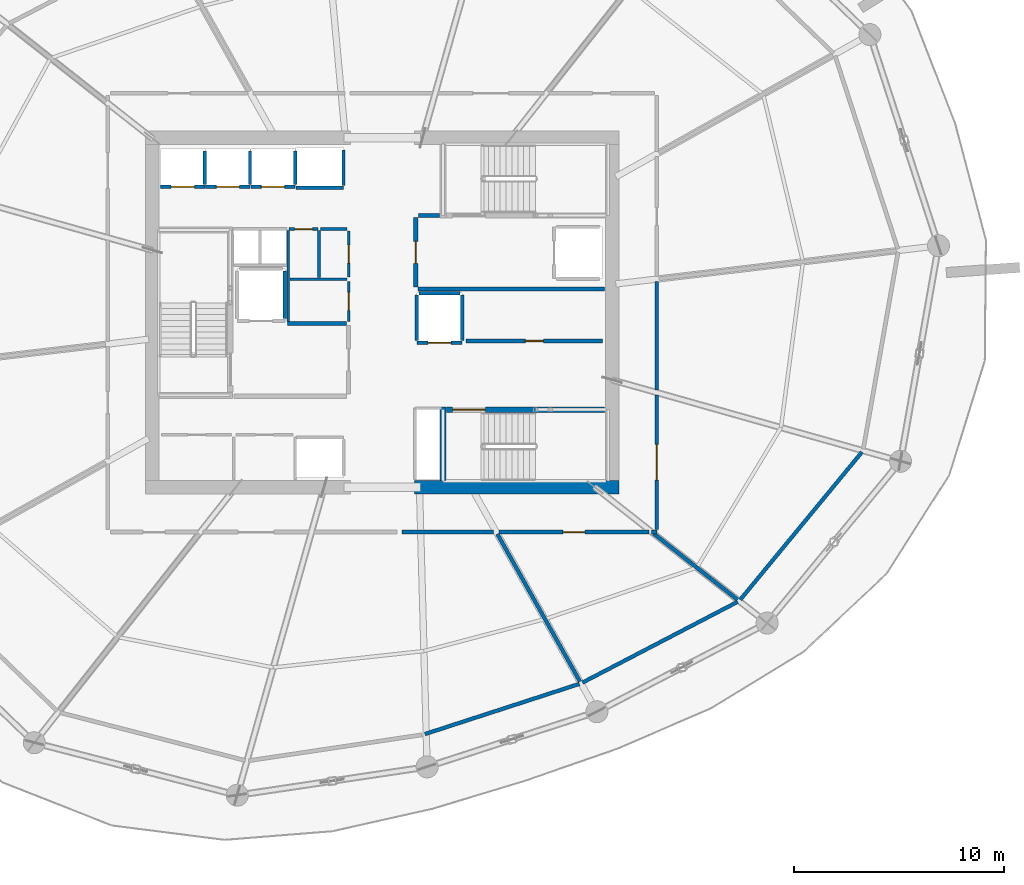
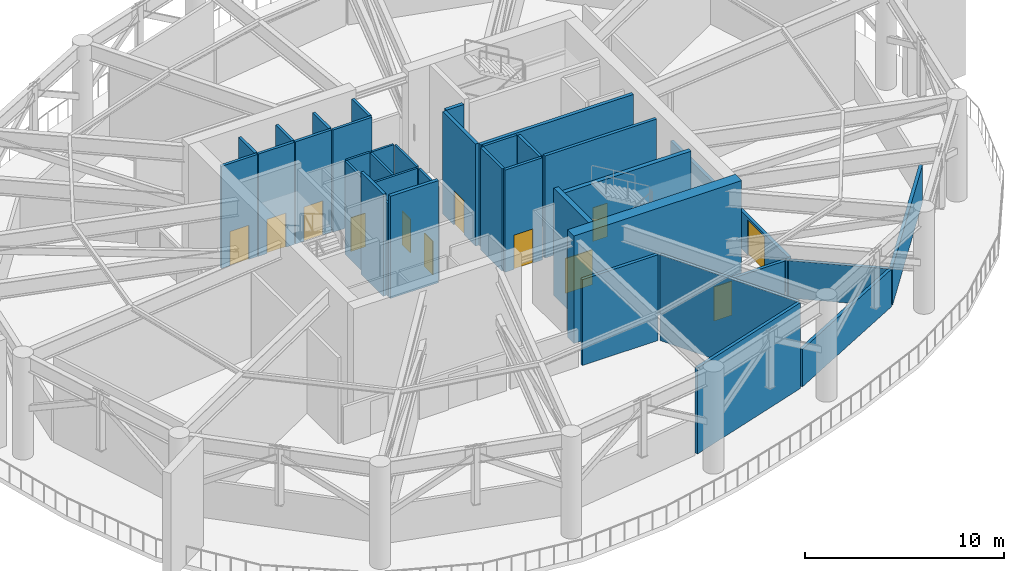
# One storey, part 13 of 20: 38 walls, 12 doors, 12 openings.
"""IFC4 building model written with IfcOpenShell, lengths in metres."""

from ifc_helpers import new_model, si_unit, direction, frame, frame_2d, origin, place, context, subcontext, project, spatial, rectangle, extrude, material, layer, layer_set, type_object, element, fill, save


model = new_model("IFC4")

# Units and contexts
model_context = context("Model", 3, precision=1e-05, world=origin(), true_north=direction((0.0, 1.0)))
body_context = subcontext(model_context, "Body", "Model", "MODEL_VIEW")
ifc_project = project(units=[si_unit("LENGTHUNIT", "METRE"), si_unit("AREAUNIT", "SQUARE_METRE"), si_unit("VOLUMEUNIT", "CUBIC_METRE"), si_unit("PLANEANGLEUNIT", "RADIAN"), si_unit("MASSUNIT", "GRAM", prefix="KILO")], contexts=[model_context])

# Site, building, storey
site_placement = place(None, origin())
site = spatial("IfcSite", under=ifc_project, at=site_placement, CompositionType="ELEMENT")
building_placement = place(site_placement, origin())
building = spatial("IfcBuilding", under=site, at=building_placement, Name="Kazma Halo Residences", CompositionType="ELEMENT")
storey_placement = place(building_placement, frame((0.0, 0.0, 225.300048828125)))
storey = spatial("IfcBuildingStorey", under=building, at=storey_placement, Name="L57", CompositionType="ELEMENT", Elevation=225.300048828125)

# Walls
ifc_material_1 = material(Name="Concrete C60/75", Category="concrete")
ifc_layer_1 = layer(ifc_material_1, 0.64990234375)
ifc_layer_set_1 = layer_set([ifc_layer_1], Name="Concrete C60/75")
wall_type_1 = type_object("IfcWallType", Name="WL-CORE-650", PredefinedType="SHEAR", material=ifc_layer_set_1)
wall_1_placement = place(storey_placement, frame((49.949951171875, 33.675048828125, 0.0), z_axis=(0.0, 0.0, 1.0), x_axis=(1.0, 0.0, 0.0)))
element("IfcWall", 1, at=wall_1_placement, inside=storey, type_object=wall_type_1, Name="L57 central core shear wall SE", PredefinedType="SHEAR", context=body_context, shape_type="SweptSolid", body=[
    extrude(rectangle(XDim=9.75, YDim=0.64990234375, at=frame_2d((4.875, 0.0))), origin(), (0.0, 0.0, 1.0), 6.599853515625),
])
ifc_layer_2 = layer(ifc_material_1, 0.280029296875)
ifc_layer_set_2 = layer_set([ifc_layer_2], Name="Concrete C60/75")
wall_type_2 = type_object("IfcWallType", Name="WL-CORE-ST-280", PredefinedType="SHEAR", material=ifc_layer_set_2)
wall_2_placement = place(storey_placement, frame((51.31005859375, 34.0, 0.0), z_axis=(0.0, 0.0, 1.0), x_axis=(0.0, 1.0, 0.0)))
element("IfcWall", 2, at=wall_2_placement, inside=storey, type_object=wall_type_2, Name="L57 stairwell bearing wall ST03-W", PredefinedType="SHEAR", context=body_context, shape_type="SweptSolid", body=[
    extrude(rectangle(XDim=3.5, YDim=0.280029296875, at=frame_2d((1.75, 0.0))), origin(), (0.0, 0.0, 1.0), 6.599853515625),
])
ifc_material_2 = material(Name="Acoustic Twin-Stud Gypsum")
ifc_layer_3 = layer(ifc_material_2, 0.179931640625)
ifc_layer_set_3 = layer_set([ifc_layer_3], Name="Acoustic Twin-Stud Gypsum")
wall_type_3 = type_object("IfcWallType", Name="WL-DEM-180", PredefinedType="PARTITIONING", material=ifc_layer_set_3)
wall_3_placement = place(storey_placement, frame((50.454833984375, 21.926513671875, 0.0), z_axis=(0.0, 0.0, 1.0), x_axis=(0.951063515405, 0.308995452498, 0.0)))
element("IfcWall", 3, at=wall_3_placement, inside=storey, type_object=wall_type_3, Name="L57 refuge acoustic perimeter wall 11", PredefinedType="PARTITIONING", context=body_context, shape_type="SweptSolid", body=[
    extrude(rectangle(XDim=7.73681640625, YDim=0.179931640625, at=frame_2d((3.868408203125, 0.0))), origin(), (0.0, 0.0, 1.0), 5.27294921875),
])
wall_4_placement = place(storey_placement, frame((57.9599609375, 24.37890625, 0.0), z_axis=(0.0, 0.0, 1.0), x_axis=(0.886953337161, 0.461859045271, 0.0)))
element("IfcWall", 4, at=wall_4_placement, inside=storey, type_object=wall_type_3, Name="L57 refuge acoustic perimeter wall 12", PredefinedType="PARTITIONING", context=body_context, shape_type="SweptSolid", body=[
    extrude(rectangle(XDim=8.333984375, YDim=0.179931640625, at=frame_2d((4.1669921875, 0.0))), origin(), (0.0, 0.0, 1.0), 2.303955078125),
])
wall_5_placement = place(storey_placement, frame((65.4736328125, 28.32666015625, 0.0), z_axis=(0.0, 0.0, 1.0), x_axis=(0.636001991142, 0.771687415514, 0.0)))
element("IfcWall", 5, at=wall_5_placement, inside=storey, type_object=wall_type_3, Name="L57 refuge acoustic perimeter wall 13", PredefinedType="PARTITIONING", context=body_context, shape_type="SweptSolid", body=[
    extrude(rectangle(XDim=9.115234375, YDim=0.179931640625, at=frame_2d((4.5576171875, 0.0))), origin(), (0.0, 0.0, 1.0), 2.303955078125),
])
wall_6_placement = place(storey_placement, frame((49.356689453125, 31.550048828125, 0.0), z_axis=(0.0, 0.0, 1.0), x_axis=(1.0, 0.0, 0.0)))
element("IfcWall", 6, at=wall_6_placement, inside=storey, type_object=wall_type_3, Name="L57 L57 West Refuge Area corridor wall", PredefinedType="PARTITIONING", context=body_context, shape_type="SweptSolid", body=[
    extrude(rectangle(XDim=4.375732421875, YDim=0.179931640625, at=frame_2d((2.18798828125, 0.0))), origin(), (0.0, 0.0, 1.0), 5.27294921875),
])
wall_7_placement = place(storey_placement, frame((53.906005859375, 31.4541015625, 0.0), z_axis=(0.0, 0.0, 1.0), x_axis=(0.488616295632, -0.872498776872, 0.0)))
element("IfcWall", 7, at=wall_7_placement, inside=storey, type_object=wall_type_3, Name="L57 radial partition wall 12", PredefinedType="PARTITIONING", context=body_context, shape_type="SweptSolid", body=[
    extrude(rectangle(XDim=8.051513671875, YDim=0.179931640625, at=frame_2d((4.02587890625, 0.0))), origin(), (0.0, 0.0, 1.0), 5.27294921875),
])

# Wall, opening, door
wall_8_placement = place(storey_placement, frame((53.972412109375, 31.550048828125, 0.0), z_axis=(0.0, 0.0, 1.0), x_axis=(1.0, 0.0, 0.0)))
wall_8 = element("IfcWall", 8, at=wall_8_placement, inside=storey, type_object=wall_type_3, Name="L57 L57 Smoke Extract Fan Plant Room corridor wall", PredefinedType="PARTITIONING", context=body_context, shape_type="SweptSolid", body=[
    extrude(rectangle(XDim=7.163330078125, YDim=0.179931640625, at=frame_2d((3.58154296875, 0.0))), origin(), (0.0, 0.0, 1.0), 2.303955078125),
])
opening_1_placement = place(wall_8_placement, frame((3.056884765625, 0.0, 0.0)))
opening_1 = element("IfcOpeningElement", 9, at=opening_1_placement, cuts=wall_8, Name="Opening DF-1050", PredefinedType="OPENING", context=body_context, shape_type="SweptSolid", body=[
    extrude(rectangle(XDim=1.050048828125, YDim=2.10009765625, at=frame_2d((0.52490234375, 1.050048828125))), frame((0.0, 0.099853515625, 0.0), z_axis=(0.0, -1.0, 0.0), x_axis=(1.0, 0.0, 0.0)), (0.0, 0.0, 1.0), 0.199951171875),
])
ifc_material_3 = material(Name="Fire-Rated Steel Leaf", Category="steel")
door_type_1 = type_object("IfcDoorType", Name="DR-FD90-1050", OperationType="NOTDEFINED", PredefinedType="DOOR", material=ifc_material_3)
door_1_placement = place(opening_1_placement, origin())
door_1 = element("IfcDoor", 10, at=door_1_placement, inside=storey, type_object=door_type_1, Name="L57 L57 Smoke Extract Fan Plant Room door", OperationType="SINGLE_SWING_LEFT", OverallHeight=2.10009765625, OverallWidth=1.050048828125, PredefinedType="DOOR", context=body_context, shape_type="SweptSolid", body=[
    extrude(rectangle(XDim=1.050048828125, YDim=2.10009765625, at=frame_2d((0.52490234375, 1.050048828125))), frame((0.0, 0.02490234375, 0.0), z_axis=(0.0, -1.0, 0.0), x_axis=(1.0, 0.0, 0.0)), (0.0, 0.0, 1.0), 0.050048828125),
])
fill(opening_1, door_1)

# Walls
wall_9_placement = place(storey_placement, frame((61.34228515625, 31.48193359375, 0.0), z_axis=(0.0, 0.0, 1.0), x_axis=(0.785303207868, -0.619111356471, 0.0)))
element("IfcWall", 11, at=wall_9_placement, inside=storey, type_object=wall_type_3, Name="L57 radial partition wall 13", PredefinedType="PARTITIONING", context=body_context, shape_type="SweptSolid", body=[
    extrude(rectangle(XDim=5.095947265625, YDim=0.179931640625, at=frame_2d((2.5478515625, 0.0))), origin(), (0.0, 0.0, 1.0), 2.303955078125),
])
wall_10_placement = place(storey_placement, frame((61.255859375, 31.550048828125, 0.0), z_axis=(0.0, 0.0, 1.0), x_axis=(1.0, 0.0, 0.0)))
element("IfcWall", 12, at=wall_10_placement, inside=storey, type_object=wall_type_3, Name="L57 L57 South Refuge Area corridor wall", PredefinedType="PARTITIONING", context=body_context, shape_type="SweptSolid", body=[
    extrude(rectangle(XDim=0.244140625, YDim=0.179931640625, at=frame_2d((0.1220703125, 0.0))), origin(), (0.0, 0.0, 1.0), 2.303955078125),
])

# Wall, opening, door
wall_11_placement = place(storey_placement, frame((61.5, 31.669921875, 0.0), z_axis=(0.0, 0.0, 1.0), x_axis=(0.0, 1.0, 0.0)))
wall_11 = element("IfcWall", 13, at=wall_11_placement, inside=storey, type_object=wall_type_3, Name="L57 L57 South Refuge Area corridor wall", PredefinedType="PARTITIONING", context=body_context, shape_type="SweptSolid", body=[
    extrude(rectangle(XDim=6.402587890625, YDim=0.179931640625, at=frame_2d((3.201171875, 0.0))), origin(), (0.0, 0.0, 1.0), 2.303955078125),
])
opening_2_placement = place(wall_11_placement, frame((2.351318359375, 0.0, 0.0)))
opening_2 = element("IfcOpeningElement", 14, at=opening_2_placement, cuts=wall_11, Name="Opening DL-1800", PredefinedType="OPENING", context=body_context, shape_type="SweptSolid", body=[
    extrude(rectangle(XDim=1.699951171875, YDim=2.14990234375, at=frame_2d((0.85009765625, 1.074951171875))), frame((0.0, 0.099853515625, 0.0), z_axis=(0.0, -1.0, 0.0), x_axis=(1.0, 0.0, 0.0)), (0.0, 0.0, 1.0), 0.199951171875),
])
ifc_material_4 = material(Name="Glazed Aluminium Double Leaf", Category="aluminium")
door_type_2 = type_object("IfcDoorType", Name="DR-LGE-1800", OperationType="NOTDEFINED", PredefinedType="DOOR", material=ifc_material_4)
door_2_placement = place(opening_2_placement, origin())
door_2 = element("IfcDoor", 15, at=door_2_placement, inside=storey, type_object=door_type_2, Name="L57 L57 South Refuge Area door", OperationType="DOUBLE_DOOR_SINGLE_SWING", OverallHeight=2.14990234375, OverallWidth=1.699951171875, PredefinedType="DOOR", context=body_context, shape_type="SweptSolid", body=[
    extrude(rectangle(XDim=1.699951171875, YDim=2.14990234375, at=frame_2d((0.85009765625, 1.074951171875))), frame((0.0, 0.02490234375, 0.0), z_axis=(0.0, -1.0, 0.0), x_axis=(1.0, 0.0, 0.0)), (0.0, 0.0, 1.0), 0.050048828125),
])
fill(opening_2, door_2)

# Wall
wall_12_placement = place(storey_placement, frame((61.5, 38.3125, 0.0), z_axis=(0.0, 0.0, 1.0), x_axis=(0.0, 1.0, 0.0)))
element("IfcWall", 16, at=wall_12_placement, inside=storey, type_object=wall_type_3, Name="L57 L57 South Refuge Area corridor wall", PredefinedType="PARTITIONING", context=body_context, shape_type="SweptSolid", body=[
    extrude(rectangle(XDim=5.165283203125, YDim=0.179931640625, at=frame_2d((2.58251953125, 0.0))), origin(), (0.0, 0.0, 1.0), 2.303955078125),
])

# Wall, opening, door
ifc_material_5 = material(Name="Fire-Rated Blockwork Masonry", Category="masonry")
ifc_layer_4 = layer(ifc_material_5, 0.199951171875)
ifc_layer_set_4 = layer_set([ifc_layer_4], Name="Fire-Rated Blockwork Masonry")
wall_type_4 = type_object("IfcWallType", Name="WL-FLB-200", PredefinedType="PARTITIONING", material=ifc_layer_set_4)
wall_13_placement = place(storey_placement, frame((39.97509765625, 47.9951171875, 0.0), z_axis=(0.0, 0.0, 1.0), x_axis=(-1.0, 0.0, 0.0)))
wall_13 = element("IfcWall", 17, at=wall_13_placement, inside=storey, type_object=wall_type_4, Name="L57 lift shaft PM-01 front wall", PredefinedType="PARTITIONING", context=body_context, shape_type="SweptSolid", body=[
    extrude(rectangle(XDim=2.110107421875, YDim=0.159912109375, at=frame_2d((1.05517578125, 0.0))), origin(), (0.0, 0.0, 1.0), 6.280029296875),
])
opening_3_placement = place(wall_13_placement, frame((0.5048828125, 0.0, 0.0)))
opening_3 = element("IfcOpeningElement", 18, at=opening_3_placement, cuts=wall_13, Name="Opening LD-PM-01", PredefinedType="OPENING", context=body_context, shape_type="SweptSolid", body=[
    extrude(rectangle(XDim=1.10009765625, YDim=2.10009765625, at=frame_2d((0.550048828125, 1.050048828125))), frame((0.0, 0.08984375, 0.0), z_axis=(0.0, -1.0, 0.0), x_axis=(1.0, 0.0, 0.0)), (0.0, 0.0, 1.0), 0.179931640625),
])
ifc_material_6 = material(Name="Stainless Steel Fire-Rated", Category="steel")
door_type_3 = type_object("IfcDoorType", Name="DR-LIFT-SLD-1100", OperationType="DOUBLE_DOOR_SLIDING", PredefinedType="DOOR", material=ifc_material_6)
door_3_placement = place(opening_3_placement, origin())
door_3 = element("IfcDoor", 19, at=door_3_placement, inside=storey, type_object=door_type_3, Name="L57 lift PM-01 sliding landing door", OperationType="DOUBLE_DOOR_SLIDING", OverallHeight=2.10009765625, OverallWidth=1.10009765625, PredefinedType="DOOR", context=body_context, shape_type="SweptSolid", body=[
    extrude(rectangle(XDim=1.10009765625, YDim=2.10009765625, at=frame_2d((0.550048828125, 1.050048828125))), frame((0.0, 0.02490234375, 0.0), z_axis=(0.0, -1.0, 0.0), x_axis=(1.0, 0.0, 0.0)), (0.0, 0.0, 1.0), 0.050048828125),
])
fill(opening_3, door_3)

# Wall
wall_14_placement = place(storey_placement, frame((39.97509765625, 48.094970703125, 0.0), z_axis=(0.0, 0.0, 1.0), x_axis=(0.0, 1.0, 0.0)))
element("IfcWall", 20, at=wall_14_placement, inside=storey, type_object=wall_type_4, Name="L57 lift shaft PM-01 side wall E", PredefinedType="PARTITIONING", context=body_context, shape_type="SweptSolid", body=[
    extrude(rectangle(XDim=1.610107421875, YDim=0.159912109375, at=frame_2d((0.80517578125, 0.0))), origin(), (0.0, 0.0, 1.0), 6.280029296875),
])

# Wall, opening, door
wall_15_placement = place(storey_placement, frame((42.125, 47.9951171875, 0.0), z_axis=(0.0, 0.0, 1.0), x_axis=(-1.0, 0.0, 0.0)))
wall_15 = element("IfcWall", 21, at=wall_15_placement, inside=storey, type_object=wall_type_4, Name="L57 lift shaft PM-02 front wall", PredefinedType="PARTITIONING", context=body_context, shape_type="SweptSolid", body=[
    extrude(rectangle(XDim=2.110107421875, YDim=0.159912109375, at=frame_2d((1.05517578125, 0.0))), origin(), (0.0, 0.0, 1.0), 6.280029296875),
])
opening_4_placement = place(wall_15_placement, frame((0.5048828125, 0.0, 0.0)))
opening_4 = element("IfcOpeningElement", 22, at=opening_4_placement, cuts=wall_15, Name="Opening LD-PM-02", PredefinedType="OPENING", context=body_context, shape_type="SweptSolid", body=[
    extrude(rectangle(XDim=1.10009765625, YDim=2.10009765625, at=frame_2d((0.550048828125, 1.050048828125))), frame((0.0, 0.08984375, 0.0), z_axis=(0.0, -1.0, 0.0), x_axis=(1.0, 0.0, 0.0)), (0.0, 0.0, 1.0), 0.179931640625),
])
door_4_placement = place(opening_4_placement, origin())
door_4 = element("IfcDoor", 23, at=door_4_placement, inside=storey, type_object=door_type_3, Name="L57 lift PM-02 sliding landing door", OperationType="DOUBLE_DOOR_SLIDING", OverallHeight=2.10009765625, OverallWidth=1.10009765625, PredefinedType="DOOR", context=body_context, shape_type="SweptSolid", body=[
    extrude(rectangle(XDim=1.10009765625, YDim=2.10009765625, at=frame_2d((0.550048828125, 1.050048828125))), frame((0.0, 0.02490234375, 0.0), z_axis=(0.0, -1.0, 0.0), x_axis=(1.0, 0.0, 0.0)), (0.0, 0.0, 1.0), 0.050048828125),
])
fill(opening_4, door_4)

# Wall
wall_16_placement = place(storey_placement, frame((42.125, 48.094970703125, 0.0), z_axis=(0.0, 0.0, 1.0), x_axis=(0.0, 1.0, 0.0)))
element("IfcWall", 24, at=wall_16_placement, inside=storey, type_object=wall_type_4, Name="L57 lift shaft PM-02 side wall E", PredefinedType="PARTITIONING", context=body_context, shape_type="SweptSolid", body=[
    extrude(rectangle(XDim=1.610107421875, YDim=0.159912109375, at=frame_2d((0.80517578125, 0.0))), origin(), (0.0, 0.0, 1.0), 6.280029296875),
])

# Wall, opening, door
wall_17_placement = place(storey_placement, frame((44.27490234375, 47.9951171875, 0.0), z_axis=(0.0, 0.0, 1.0), x_axis=(-1.0, 0.0, 0.0)))
wall_17 = element("IfcWall", 25, at=wall_17_placement, inside=storey, type_object=wall_type_4, Name="L57 lift shaft PM-03 front wall", PredefinedType="PARTITIONING", context=body_context, shape_type="SweptSolid", body=[
    extrude(rectangle(XDim=2.10986328125, YDim=0.159912109375, at=frame_2d((1.054931640625, 0.0))), origin(), (0.0, 0.0, 1.0), 6.280029296875),
])
opening_5_placement = place(wall_17_placement, frame((0.5048828125, 0.0, 0.0)))
opening_5 = element("IfcOpeningElement", 26, at=opening_5_placement, cuts=wall_17, Name="Opening LD-PM-03", PredefinedType="OPENING", context=body_context, shape_type="SweptSolid", body=[
    extrude(rectangle(XDim=1.10009765625, YDim=2.10009765625, at=frame_2d((0.550048828125, 1.050048828125))), frame((0.0, 0.08984375, 0.0), z_axis=(0.0, -1.0, 0.0), x_axis=(1.0, 0.0, 0.0)), (0.0, 0.0, 1.0), 0.179931640625),
])
door_5_placement = place(opening_5_placement, origin())
door_5 = element("IfcDoor", 27, at=door_5_placement, inside=storey, type_object=door_type_3, Name="L57 lift PM-03 sliding landing door", OperationType="DOUBLE_DOOR_SLIDING", OverallHeight=2.10009765625, OverallWidth=1.10009765625, PredefinedType="DOOR", context=body_context, shape_type="SweptSolid", body=[
    extrude(rectangle(XDim=1.10009765625, YDim=2.10009765625, at=frame_2d((0.550048828125, 1.050048828125))), frame((0.0, 0.02490234375, 0.0), z_axis=(0.0, -1.0, 0.0), x_axis=(1.0, 0.0, 0.0)), (0.0, 0.0, 1.0), 0.050048828125),
])
fill(opening_5, door_5)

# Walls
wall_18_placement = place(storey_placement, frame((44.27490234375, 48.094970703125, 0.0), z_axis=(0.0, 0.0, 1.0), x_axis=(0.0, 1.0, 0.0)))
element("IfcWall", 28, at=wall_18_placement, inside=storey, type_object=wall_type_4, Name="L57 lift shaft PM-03 side wall E", PredefinedType="PARTITIONING", context=body_context, shape_type="SweptSolid", body=[
    extrude(rectangle(XDim=1.610107421875, YDim=0.159912109375, at=frame_2d((0.80517578125, 0.0))), origin(), (0.0, 0.0, 1.0), 6.280029296875),
])
wall_19_placement = place(storey_placement, frame((46.580078125, 47.945068359375, 0.0), z_axis=(0.0, 0.0, 1.0), x_axis=(-1.0, 0.0, 0.0)))
element("IfcWall", 29, at=wall_19_placement, inside=storey, type_object=wall_type_4, Name="L57 lift shaft PX-01 front wall", PredefinedType="PARTITIONING", context=body_context, shape_type="SweptSolid", body=[
    extrude(rectangle(XDim=2.260009765625, YDim=0.159912109375, at=frame_2d((1.1298828125, 0.0))), origin(), (0.0, 0.0, 1.0), 6.280029296875),
])
wall_20_placement = place(storey_placement, frame((46.580078125, 48.044921875, 0.0), z_axis=(0.0, 0.0, 1.0), x_axis=(0.0, 1.0, 0.0)))
element("IfcWall", 30, at=wall_20_placement, inside=storey, type_object=wall_type_4, Name="L57 lift shaft PX-01 side wall E", PredefinedType="PARTITIONING", context=body_context, shape_type="SweptSolid", body=[
    extrude(rectangle(XDim=1.7099609375, YDim=0.159912109375, at=frame_2d((0.85498046875, 0.0))), origin(), (0.0, 0.0, 1.0), 6.280029296875),
])
wall_21_placement = place(storey_placement, frame((43.780029296875, 41.719970703125, 0.0), z_axis=(0.0, 0.0, 1.0), x_axis=(0.0, 1.0, 0.0)))
element("IfcWall", 31, at=wall_21_placement, inside=storey, type_object=wall_type_4, Name="L57 lift shaft FL-01 side wall E", PredefinedType="PARTITIONING", context=body_context, shape_type="SweptSolid", body=[
    extrude(rectangle(XDim=2.260009765625, YDim=0.159912109375, at=frame_2d((1.1298828125, 0.0))), origin(), (0.0, 0.0, 1.0), 6.280029296875),
])

# Wall, opening, door
wall_22_placement = place(storey_placement, frame((52.22998046875, 40.570068359375, 0.0), z_axis=(0.0, 0.0, 1.0), x_axis=(-1.0, 0.0, 0.0)))
wall_22 = element("IfcWall", 32, at=wall_22_placement, inside=storey, type_object=wall_type_4, Name="L57 lift shaft SV-01 front wall", PredefinedType="PARTITIONING", context=body_context, shape_type="SweptSolid", body=[
    extrude(rectangle(XDim=2.159912109375, YDim=0.159912109375, at=frame_2d((1.080078125, 0.0))), origin(), (0.0, 0.0, 1.0), 6.280029296875),
])
opening_6_placement = place(wall_22_placement, frame((0.530029296875, 0.0, 0.0)))
opening_6 = element("IfcOpeningElement", 33, at=opening_6_placement, cuts=wall_22, Name="Opening LD-SV-01", PredefinedType="OPENING", context=body_context, shape_type="SweptSolid", body=[
    extrude(rectangle(XDim=1.10009765625, YDim=2.10009765625, at=frame_2d((0.550048828125, 1.050048828125))), frame((0.0, 0.08984375, 0.0), z_axis=(0.0, -1.0, 0.0), x_axis=(1.0, 0.0, 0.0)), (0.0, 0.0, 1.0), 0.179931640625),
])
door_6_placement = place(opening_6_placement, origin())
door_6 = element("IfcDoor", 34, at=door_6_placement, inside=storey, type_object=door_type_3, Name="L57 lift SV-01 sliding landing door", OperationType="DOUBLE_DOOR_SLIDING", OverallHeight=2.10009765625, OverallWidth=1.10009765625, PredefinedType="DOOR", context=body_context, shape_type="SweptSolid", body=[
    extrude(rectangle(XDim=1.10009765625, YDim=2.10009765625, at=frame_2d((0.550048828125, 1.050048828125))), frame((0.0, 0.02490234375, 0.0), z_axis=(0.0, -1.0, 0.0), x_axis=(1.0, 0.0, 0.0)), (0.0, 0.0, 1.0), 0.050048828125),
])
fill(opening_6, door_6)

# Walls
for number, where, z_axis, x_axis, name in (
    (35, (52.22998046875, 40.669921875, 0.0), (0.0, 0.0, 1.0), (0.0, 1.0, 0.0), "L57 lift shaft SV-01 side wall E"),
    (36, (50.070068359375, 40.669921875, 0.0), (0.0, 0.0, 1.0), (0.0, 1.0, 0.0), "L57 lift shaft SV-01 side wall W"),
):
    element("IfcWall", number, at=place(storey_placement, frame(where, z_axis=z_axis, x_axis=x_axis)), inside=storey, type_object=wall_type_4, Name=name, PredefinedType="PARTITIONING", context=body_context, shape_type="SweptSolid", body=[
        extrude(rectangle(XDim=2.16015625, YDim=0.159912109375, at=frame_2d((1.080078125, 0.0))), origin(), (0.0, 0.0, 1.0), 6.280029296875),
    ])
wall_23_placement = place(storey_placement, frame((50.169921875, 42.929931640625, 0.0), z_axis=(0.0, 0.0, 1.0), x_axis=(1.0, 0.0, 0.0)))
element("IfcWall", 37, at=wall_23_placement, inside=storey, type_object=wall_type_4, Name="L57 lift shaft SV-01 side wall N", PredefinedType="PARTITIONING", context=body_context, shape_type="SweptSolid", body=[
    extrude(rectangle(XDim=1.9599609375, YDim=0.159912109375, at=frame_2d((0.97998046875, 0.0))), origin(), (0.0, 0.0, 1.0), 6.280029296875),
])

# Wall, opening, door
wall_24_placement = place(storey_placement, frame((52.419921875, 40.64990234375, 0.0), z_axis=(0.0, 0.0, 1.0), x_axis=(1.0, 0.0, 0.0)))
wall_24 = element("IfcWall", 38, at=wall_24_placement, inside=storey, type_object=wall_type_4, Name="L57 core east reserve wall", PredefinedType="PARTITIONING", context=body_context, shape_type="SweptSolid", body=[
    extrude(rectangle(XDim=6.5, YDim=0.179931640625, at=frame_2d((3.25, 0.0))), origin(), (0.0, 0.0, 1.0), 6.280029296875),
])
opening_7_placement = place(wall_24_placement, frame((2.824951171875, 0.0, 0.0)))
opening_7 = element("IfcOpeningElement", 39, at=opening_7_placement, cuts=wall_24, Name="Opening DS-850", PredefinedType="OPENING", context=body_context, shape_type="SweptSolid", body=[
    extrude(rectangle(XDim=0.85009765625, YDim=2.06005859375, at=frame_2d((0.425048828125, 1.030029296875))), frame((0.0, 0.099853515625, 0.0), z_axis=(0.0, -1.0, 0.0), x_axis=(1.0, 0.0, 0.0)), (0.0, 0.0, 1.0), 0.199951171875),
])
ifc_material_7 = material(Name="Painted Steel Access Leaf", Category="steel")
door_type_4 = type_object("IfcDoorType", Name="DR-SVC-850", OperationType="NOTDEFINED", PredefinedType="DOOR", material=ifc_material_7)
door_7_placement = place(opening_7_placement, origin())
door_7 = element("IfcDoor", 40, at=door_7_placement, inside=storey, type_object=door_type_4, Name="L57 core east reserve door", OperationType="SINGLE_SWING_RIGHT", OverallHeight=2.06005859375, OverallWidth=0.85009765625, PredefinedType="DOOR", context=body_context, shape_type="SweptSolid", body=[
    extrude(rectangle(XDim=0.85009765625, YDim=2.06005859375, at=frame_2d((0.425048828125, 1.030029296875))), frame((0.0, 0.02490234375, 0.0), z_axis=(0.0, -1.0, 0.0), x_axis=(1.0, 0.0, 0.0)), (0.0, 0.0, 1.0), 0.050048828125),
])
fill(opening_7, door_7)

# Walls
wall_25_placement = place(storey_placement, frame((43.919921875, 41.47998046875, 0.0), z_axis=(0.0, 0.0, 1.0), x_axis=(1.0, 0.0, 0.0)))
element("IfcWall", 41, at=wall_25_placement, inside=storey, type_object=wall_type_4, Name="L57 west firefighting lobby north smoke wall", PredefinedType="PARTITIONING", context=body_context, shape_type="SweptSolid", body=[
    extrude(rectangle(XDim=2.800048828125, YDim=0.199951171875, at=frame_2d((1.39990234375, 0.0))), origin(), (0.0, 0.0, 1.0), 6.280029296875),
])
wall_26_placement = place(storey_placement, frame((50.1201171875, 43.1201171875, 0.0), z_axis=(0.0, 0.0, 1.0), x_axis=(1.0, 0.0, 0.0)))
element("IfcWall", 42, at=wall_26_placement, inside=storey, type_object=wall_type_4, Name="L57 east firefighting lobby south smoke wall", PredefinedType="PARTITIONING", context=body_context, shape_type="SweptSolid", body=[
    extrude(rectangle(XDim=8.8798828125, YDim=0.199951171875, at=frame_2d((4.43994140625, 0.0))), origin(), (0.0, 0.0, 1.0), 6.280029296875),
])
wall_27_placement = place(storey_placement, frame((50.139892578125, 46.6201171875, 0.0), z_axis=(0.0, 0.0, 1.0), x_axis=(1.0, 0.0, 0.0)))
element("IfcWall", 43, at=wall_27_placement, inside=storey, type_object=wall_type_4, Name="L57 east firefighting lobby north closure wall", PredefinedType="PARTITIONING", context=body_context, shape_type="SweptSolid", body=[
    extrude(rectangle(XDim=1.02001953125, YDim=0.199951171875, at=frame_2d((0.510009765625, 0.0))), origin(), (0.0, 0.0, 1.0), 6.280029296875),
])

# Wall, opening, door
wall_28_placement = place(storey_placement, frame((50.02001953125, 43.219970703125, 0.0), z_axis=(0.0, 0.0, 1.0), x_axis=(0.0, 1.0, 0.0)))
wall_28 = element("IfcWall", 44, at=wall_28_placement, inside=storey, type_object=wall_type_4, Name="L57 east firefighting lobby smoke wall", PredefinedType="PARTITIONING", context=body_context, shape_type="SweptSolid", body=[
    extrude(rectangle(XDim=3.300048828125, YDim=0.199951171875, at=frame_2d((1.64990234375, 0.0))), origin(), (0.0, 0.0, 1.0), 6.280029296875),
])
opening_8_placement = place(wall_28_placement, frame((1.125, 0.0, 0.0)))
opening_8 = element("IfcOpeningElement", 45, at=opening_8_placement, cuts=wall_28, Name="Opening D-FLE", PredefinedType="OPENING", context=body_context, shape_type="SweptSolid", body=[
    extrude(rectangle(XDim=1.050048828125, YDim=2.10009765625, at=frame_2d((0.52490234375, 1.050048828125))), frame((0.0, 0.10986328125, 0.0), z_axis=(0.0, -1.0, 0.0), x_axis=(1.0, 0.0, 0.0)), (0.0, 0.0, 1.0), 0.219970703125),
])
door_8_placement = place(opening_8_placement, origin())
door_8 = element("IfcDoor", 46, at=door_8_placement, inside=storey, type_object=door_type_1, Name="L57 east firefighting lobby smoke door", OperationType="SINGLE_SWING_LEFT", OverallHeight=2.10009765625, OverallWidth=1.050048828125, PredefinedType="DOOR", context=body_context, shape_type="SweptSolid", body=[
    extrude(rectangle(XDim=1.050048828125, YDim=2.10009765625, at=frame_2d((0.52490234375, 1.050048828125))), frame((0.0, 0.02490234375, 0.0), z_axis=(0.0, -1.0, 0.0), x_axis=(1.0, 0.0, 0.0)), (0.0, 0.0, 1.0), 0.050048828125),
])
fill(opening_8, door_8)

# Walls
ifc_material_8 = material(Name="Gypsum Plasterboard Partition")
ifc_layer_5 = layer(ifc_material_8, 0.125)
ifc_layer_set_5 = layer_set([ifc_layer_5], Name="Gypsum Plasterboard Partition")
wall_type_5 = type_object("IfcWallType", Name="WL-PART-125", PredefinedType="PARTITIONING", material=ifc_layer_set_5)
wall_29_placement = place(storey_placement, frame((43.949951171875, 41.580078125, 0.0), z_axis=(0.0, 0.0, 1.0), x_axis=(0.0, 1.0, 0.0)))
element("IfcWall", 47, at=wall_29_placement, inside=storey, type_object=wall_type_5, Name="L57 core service west wall", PredefinedType="PARTITIONING", context=body_context, shape_type="SweptSolid", body=[
    extrude(rectangle(XDim=4.31982421875, YDim=0.125, at=frame_2d((2.159912109375, 0.0))), origin(), (0.0, 0.0, 1.0), 5.719970703125),
])
wall_30_placement = place(storey_placement, frame((44.030029296875, 43.590087890625, 0.0), z_axis=(0.0, 0.0, 1.0), x_axis=(1.0, 0.0, 0.0)))
element("IfcWall", 48, at=wall_30_placement, inside=storey, type_object=wall_type_5, Name="L57 core service horiz divider", PredefinedType="PARTITIONING", context=body_context, shape_type="SweptSolid", body=[
    extrude(rectangle(XDim=2.7099609375, YDim=0.125, at=frame_2d((1.35498046875, 0.0))), origin(), (0.0, 0.0, 1.0), 5.719970703125),
])
wall_31_placement = place(storey_placement, frame((45.409912109375, 43.669921875, 0.0), z_axis=(0.0, 0.0, 1.0), x_axis=(0.0, 1.0, 0.0)))
element("IfcWall", 49, at=wall_31_placement, inside=storey, type_object=wall_type_5, Name="L57 core service vert divider", PredefinedType="PARTITIONING", context=body_context, shape_type="SweptSolid", body=[
    extrude(rectangle(XDim=2.22998046875, YDim=0.125, at=frame_2d((1.114990234375, 0.0))), origin(), (0.0, 0.0, 1.0), 5.719970703125),
])

# Wall, opening, door
wall_32_placement = place(storey_placement, frame((46.820068359375, 41.580078125, 0.0), z_axis=(0.0, 0.0, 1.0), x_axis=(0.0, 1.0, 0.0)))
wall_32 = element("IfcWall", 50, at=wall_32_placement, inside=storey, type_object=wall_type_5, Name="L57 refuse room east wall", PredefinedType="PARTITIONING", context=body_context, shape_type="SweptSolid", body=[
    extrude(rectangle(XDim=1.909912109375, YDim=0.125, at=frame_2d((0.955078125, 0.0))), origin(), (0.0, 0.0, 1.0), 5.719970703125),
])
opening_9_placement = place(wall_32_placement, frame((0.530029296875, 0.0, 0.0)))
opening_9 = element("IfcOpeningElement", 51, at=opening_9_placement, cuts=wall_32, Name="Opening DS-850", PredefinedType="OPENING", context=body_context, shape_type="SweptSolid", body=[
    extrude(rectangle(XDim=0.85009765625, YDim=2.06005859375, at=frame_2d((0.425048828125, 1.030029296875))), frame((0.0, 0.072509765625, 0.0), z_axis=(0.0, -1.0, 0.0), x_axis=(1.0, 0.0, 0.0)), (0.0, 0.0, 1.0), 0.14501953125),
])
door_9_placement = place(opening_9_placement, origin())
door_9 = element("IfcDoor", 52, at=door_9_placement, inside=storey, type_object=door_type_4, Name="L57 refuse room door", OperationType="SINGLE_SWING_RIGHT", OverallHeight=2.06005859375, OverallWidth=0.85009765625, PredefinedType="DOOR", context=body_context, shape_type="SweptSolid", body=[
    extrude(rectangle(XDim=0.85009765625, YDim=2.06005859375, at=frame_2d((0.425048828125, 1.030029296875))), frame((0.0, 0.02490234375, 0.0), z_axis=(0.0, -1.0, 0.0), x_axis=(1.0, 0.0, 0.0)), (0.0, 0.0, 1.0), 0.050048828125),
])
fill(opening_9, door_9)

wall_33_placement = place(storey_placement, frame((46.820068359375, 43.68994140625, 0.0), z_axis=(0.0, 0.0, 1.0), x_axis=(0.0, 1.0, 0.0)))
wall_33 = element("IfcWall", 53, at=wall_33_placement, inside=storey, type_object=wall_type_5, Name="L57 sub-metering east wall", PredefinedType="PARTITIONING", context=body_context, shape_type="SweptSolid", body=[
    extrude(rectangle(XDim=2.18994140625, YDim=0.125, at=frame_2d((1.094970703125, 0.0))), origin(), (0.0, 0.0, 1.0), 5.719970703125),
])
opening_10_placement = place(wall_33_placement, frame((0.669921875, 0.0, 0.0)))
opening_10 = element("IfcOpeningElement", 54, at=opening_10_placement, cuts=wall_33, Name="Opening DS-850", PredefinedType="OPENING", context=body_context, shape_type="SweptSolid", body=[
    extrude(rectangle(XDim=0.85009765625, YDim=2.06005859375, at=frame_2d((0.425048828125, 1.030029296875))), frame((0.0, 0.072509765625, 0.0), z_axis=(0.0, -1.0, 0.0), x_axis=(1.0, 0.0, 0.0)), (0.0, 0.0, 1.0), 0.14501953125),
])
door_10_placement = place(opening_10_placement, origin())
door_10 = element("IfcDoor", 55, at=door_10_placement, inside=storey, type_object=door_type_4, Name="L57 sub-metering door", OperationType="SINGLE_SWING_LEFT", OverallHeight=2.06005859375, OverallWidth=0.85009765625, PredefinedType="DOOR", context=body_context, shape_type="SweptSolid", body=[
    extrude(rectangle(XDim=0.85009765625, YDim=2.06005859375, at=frame_2d((0.425048828125, 1.030029296875))), frame((0.0, 0.02490234375, 0.0), z_axis=(0.0, -1.0, 0.0), x_axis=(1.0, 0.0, 0.0)), (0.0, 0.0, 1.0), 0.050048828125),
])
fill(opening_10, door_10)

wall_34_placement = place(storey_placement, frame((43.989990234375, 45.97998046875, 0.0), z_axis=(0.0, 0.0, 1.0), x_axis=(1.0, 0.0, 0.0)))
wall_34 = element("IfcWall", 56, at=wall_34_placement, inside=storey, type_object=wall_type_5, Name="L57 cleaners cupboard north wall", PredefinedType="PARTITIONING", context=body_context, shape_type="SweptSolid", body=[
    extrude(rectangle(XDim=1.380126953125, YDim=0.125, at=frame_2d((0.68994140625, 0.0))), origin(), (0.0, 0.0, 1.0), 5.719970703125),
])
opening_11_placement = place(wall_34_placement, frame((0.264892578125, 0.0, 0.0)))
opening_11 = element("IfcOpeningElement", 57, at=opening_11_placement, cuts=wall_34, Name="Opening DS-850", PredefinedType="OPENING", context=body_context, shape_type="SweptSolid", body=[
    extrude(rectangle(XDim=0.85009765625, YDim=2.06005859375, at=frame_2d((0.425048828125, 1.030029296875))), frame((0.0, 0.072509765625, 0.0), z_axis=(0.0, -1.0, 0.0), x_axis=(1.0, 0.0, 0.0)), (0.0, 0.0, 1.0), 0.14501953125),
])
door_11_placement = place(opening_11_placement, origin())
door_11 = element("IfcDoor", 58, at=door_11_placement, inside=storey, type_object=door_type_4, Name="L57 cleaners cupboard door", OperationType="SINGLE_SWING_RIGHT", OverallHeight=2.06005859375, OverallWidth=0.85009765625, PredefinedType="DOOR", context=body_context, shape_type="SweptSolid", body=[
    extrude(rectangle(XDim=0.85009765625, YDim=2.06005859375, at=frame_2d((0.425048828125, 1.030029296875))), frame((0.0, 0.02490234375, 0.0), z_axis=(0.0, -1.0, 0.0), x_axis=(1.0, 0.0, 0.0)), (0.0, 0.0, 1.0), 0.050048828125),
])
fill(opening_11, door_11)

# Wall
wall_35_placement = place(storey_placement, frame((45.47998046875, 45.97998046875, 0.0), z_axis=(0.0, 0.0, 1.0), x_axis=(1.0, 0.0, 0.0)))
element("IfcWall", 59, at=wall_35_placement, inside=storey, type_object=wall_type_5, Name="L57 sub-metering north wall", PredefinedType="PARTITIONING", context=body_context, shape_type="SweptSolid", body=[
    extrude(rectangle(XDim=1.260009765625, YDim=0.125, at=frame_2d((0.6298828125, 0.0))), origin(), (0.0, 0.0, 1.0), 5.719970703125),
])

# Wall, opening, door
ifc_material_9 = material(Name="Concrete C50/60", Category="concrete")
ifc_layer_6 = layer(ifc_material_9, 0.25)
ifc_layer_set_6 = layer_set([ifc_layer_6], Name="Concrete C50/60")
wall_type_6 = type_object("IfcWallType", Name="WL-SHF-250", PredefinedType="SOLIDWALL", material=ifc_layer_set_6)
wall_36_placement = place(storey_placement, frame((51.47998046875, 37.3798828125, 0.0), z_axis=(0.0, 0.0, 1.0), x_axis=(1.0, 0.0, 0.0)))
wall_36 = element("IfcWall", 60, at=wall_36_placement, inside=storey, type_object=wall_type_6, Name="L57 exit stair ST-03 enclosure wall", PredefinedType="SOLIDWALL", context=body_context, shape_type="SweptSolid", body=[
    extrude(rectangle(XDim=7.5400390625, YDim=0.25, at=frame_2d((3.77001953125, 0.0))), origin(), (0.0, 0.0, 1.0), 6.280029296875),
])
opening_12_placement = place(wall_36_placement, frame((0.300048828125, 0.0, 0.0)))
opening_12 = element("IfcOpeningElement", 61, at=opening_12_placement, cuts=wall_36, Name="Opening D-ST3", PredefinedType="OPENING", context=body_context, shape_type="SweptSolid", body=[
    extrude(rectangle(XDim=1.550048828125, YDim=2.14990234375, at=frame_2d((0.77490234375, 1.074951171875))), frame((0.0, 0.135009765625, 0.0), z_axis=(0.0, -1.0, 0.0), x_axis=(1.0, 0.0, 0.0)), (0.0, 0.0, 1.0), 0.27001953125),
])
ifc_material_10 = material(Name="Fire-Rated Double Steel Leaf", Category="steel")
door_type_5 = type_object("IfcDoorType", Name="DR-FD90-1550", OperationType="NOTDEFINED", PredefinedType="DOOR", material=ifc_material_10)
door_12_placement = place(opening_12_placement, origin())
door_12 = element("IfcDoor", 62, at=door_12_placement, inside=storey, type_object=door_type_5, Name="L57 exit stair ST-03 fire door", OperationType="DOUBLE_DOOR_SINGLE_SWING", OverallHeight=2.14990234375, OverallWidth=1.550048828125, PredefinedType="DOOR", context=body_context, shape_type="SweptSolid", body=[
    extrude(rectangle(XDim=1.550048828125, YDim=2.14990234375, at=frame_2d((0.77490234375, 1.074951171875))), frame((0.0, 0.02490234375, 0.0), z_axis=(0.0, -1.0, 0.0), x_axis=(1.0, 0.0, 0.0)), (0.0, 0.0, 1.0), 0.050048828125),
])
fill(opening_12, door_12)

save(model, "model.ifc")
